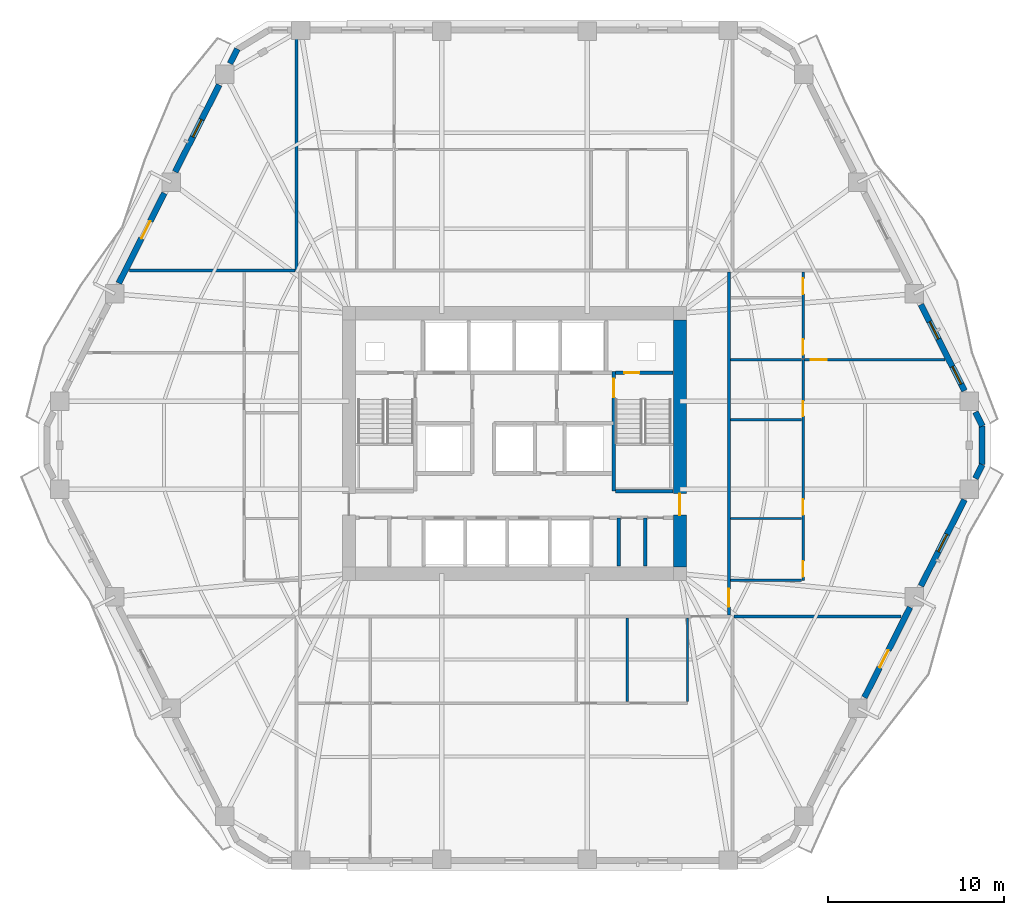
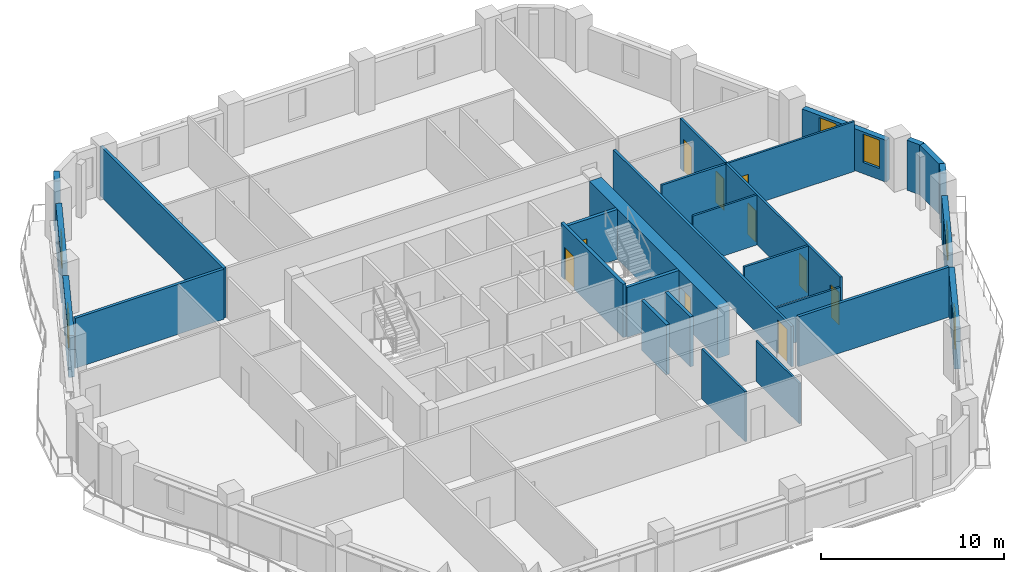
# One storey, part 6 of 13: 28 walls, 12 doors, 4 windows, 16 openings.
"""IFC4 building model written with IfcOpenShell, lengths in metres."""

from ifc_helpers import new_model, si_unit, direction, frame, frame_2d, origin, place, context, subcontext, project, spatial, rectangle, extrude, material, layer, layer_set, type_object, element, fill, save


model = new_model("IFC4")

# Units and contexts
model_context = context("Model", 3, precision=1e-05, world=origin(), true_north=direction((0.0, 1.0)))
body_context = subcontext(model_context, "Body", "Model", "MODEL_VIEW")
ifc_project = project(units=[si_unit("LENGTHUNIT", "METRE"), si_unit("AREAUNIT", "SQUARE_METRE"), si_unit("VOLUMEUNIT", "CUBIC_METRE"), si_unit("PLANEANGLEUNIT", "RADIAN"), si_unit("MASSUNIT", "GRAM", prefix="KILO")], contexts=[model_context])

# Site, building, storey
site_placement = place(None, origin())
site = spatial("IfcSite", under=ifc_project, at=site_placement, CompositionType="ELEMENT")
building_placement = place(site_placement, origin())
building = spatial("IfcBuilding", under=site, at=building_placement, Name="Cinnabar Lancet Tower", CompositionType="ELEMENT")
storey_placement = place(building_placement, frame((0.0, 0.0, 80.0)))
storey = spatial("IfcBuildingStorey", under=building, at=storey_placement, Name="L20", CompositionType="ELEMENT", Elevation=80.0)

# Wall, opening, door
ifc_material_1 = material(Name="Acoustic twin-stud gypsum partition", Category="gypsum")
ifc_layer_1 = layer(ifc_material_1, 0.159912109375)
ifc_layer_set_1 = layer_set([ifc_layer_1], Name="Acoustic twin-stud gypsum partition")
wall_type_1 = type_object("IfcWallType", Name="ARC-WL-CORR-160", PredefinedType="PARTITIONING", material=ifc_layer_set_1)
wall_1_placement = place(storey_placement, frame((44.550048828125, 16.195068359375, 0.0), z_axis=(0.0, 0.0, 1.0), x_axis=(0.0, 1.0, 0.0)))
wall_1 = element("IfcWall", 1, at=wall_1_placement, inside=storey, type_object=wall_type_1, Name="UW-L20-E01-COR", PredefinedType="PARTITIONING", context=body_context, shape_type="SweptSolid", body=[
    extrude(rectangle(XDim=19.409912109375, YDim=0.159912109375, at=frame_2d((9.705078125, 0.0))), origin(), (0.0, 0.0, 1.0), 2.699951171875),
])
opening_1_placement = place(wall_1_placement, frame((0.449951171875, 0.0, 0.0)))
opening_1 = element("IfcOpeningElement", 2, at=opening_1_placement, cuts=wall_1, Name="Opening UD-01", PredefinedType="OPENING", context=body_context, shape_type="SweptSolid", body=[
    extrude(rectangle(XDim=1.02001953125, YDim=2.25, at=frame_2d((0.510009765625, 1.125))), frame((0.0, 0.08984375, 0.0), z_axis=(0.0, -1.0, 0.0), x_axis=(1.0, 0.0, 0.0)), (0.0, 0.0, 1.0), 0.179931640625),
])
ifc_material_2 = material(Name="Solid timber fire-rated apartment entrance door", Category="wood")
door_type_1 = type_object("IfcDoorType", Name="ARC-DR-UNIT", OperationType="NOTDEFINED", PredefinedType="DOOR", material=ifc_material_2)
door_1_placement = place(opening_1_placement, origin())
door_1 = element("IfcDoor", 3, at=door_1_placement, inside=storey, type_object=door_type_1, Name="DR-L20-E01-ENT", OperationType="SINGLE_SWING_LEFT", OverallHeight=2.25, OverallWidth=1.02001953125, PredefinedType="DOOR", context=body_context, shape_type="SweptSolid", body=[
    extrude(rectangle(XDim=1.02001953125, YDim=2.25, at=frame_2d((0.510009765625, 1.125))), frame((0.0, 0.02490234375, 0.0), z_axis=(0.0, -1.0, 0.0), x_axis=(1.0, 0.0, 0.0)), (0.0, 0.0, 1.0), 0.050048828125),
])
fill(opening_1, door_1)

# Walls
ifc_material_3 = material(Name="Fire-rated twin-frame acoustic drywall", Category="gypsum")
ifc_layer_2 = layer(ifc_material_3, 0.179931640625)
ifc_layer_set_2 = layer_set([ifc_layer_2], Name="Fire-rated twin-frame acoustic drywall")
wall_type_2 = type_object("IfcWallType", Name="ARC-WL-PARTY-180", PredefinedType="PARTITIONING", material=ifc_layer_set_2)
wall_2_placement = place(storey_placement, frame((20.050048828125, 35.699951171875, 0.0), z_axis=(0.0, 0.0, 1.0), x_axis=(0.0, 1.0, 0.0)))
element("IfcWall", 4, at=wall_2_placement, inside=storey, type_object=wall_type_2, Name="PW-L20-NPTY-200", PredefinedType="PARTITIONING", context=body_context, shape_type="SweptSolid", body=[
    extrude(rectangle(XDim=13.445068359375, YDim=0.179931640625, at=frame_2d((6.72265625, 0.0))), origin(), (0.0, 0.0, 1.0), 3.330078125),
])
wall_3_placement = place(storey_placement, frame((44.844970703125, 16.10009765625, 0.0), z_axis=(0.0, 0.0, 1.0), x_axis=(1.0, 0.0, 0.0)))
element("IfcWall", 5, at=wall_3_placement, inside=storey, type_object=wall_type_2, Name="PW-L20-ESB", PredefinedType="PARTITIONING", context=body_context, shape_type="SweptSolid", body=[
    extrude(rectangle(XDim=9.467041015625, YDim=0.179931640625, at=frame_2d((4.7333984375, 0.0))), origin(), (0.0, 0.0, 1.0), 3.330078125),
])
wall_4_placement = place(storey_placement, frame((10.589111328125, 35.699951171875, 0.0), z_axis=(0.0, 0.0, 1.0), x_axis=(1.0, 0.0, 0.0)))
element("IfcWall", 6, at=wall_4_placement, inside=storey, type_object=wall_type_2, Name="PW-L20-WNB", PredefinedType="PARTITIONING", context=body_context, shape_type="SweptSolid", body=[
    extrude(rectangle(XDim=9.365966796875, YDim=0.179931640625, at=frame_2d((4.68310546875, 0.0))), origin(), (0.0, 0.0, 1.0), 3.330078125),
])
ifc_material_4 = material(Name="Autoclaved aerated concrete blockwork", Category="masonry")
ifc_layer_3 = layer(ifc_material_4, 0.199951171875)
ifc_layer_set_3 = layer_set([ifc_layer_3], Name="Autoclaved aerated concrete blockwork")
wall_type_3 = type_object("IfcWallType", Name="ARC-WL-SHAFT-200", PredefinedType="PLUMBINGWALL", material=ifc_layer_set_3)
wall_5_placement = place(storey_placement, frame((38.125, 23.199951171875, 0.0), z_axis=(0.0, 0.0, 1.0), x_axis=(1.0, 0.0, 0.0)))
element("IfcWall", 7, at=wall_5_placement, inside=storey, type_object=wall_type_3, Name="CW-ST2S-L20", PredefinedType="PLUMBINGWALL", context=body_context, shape_type="SweptSolid", body=[
    extrude(rectangle(XDim=3.27001953125, YDim=0.199951171875, at=frame_2d((1.635009765625, 0.0))), origin(), (0.0, 0.0, 1.0), 3.330078125),
])

# Wall, opening, door
wall_6_placement = place(storey_placement, frame((38.125, 29.89990234375, 0.0), z_axis=(0.0, 0.0, 1.0), x_axis=(1.0, 0.0, 0.0)))
wall_6 = element("IfcWall", 8, at=wall_6_placement, inside=storey, type_object=wall_type_3, Name="CW-NSH-E-L20", PredefinedType="PLUMBINGWALL", context=body_context, shape_type="SweptSolid", body=[
    extrude(rectangle(XDim=3.27001953125, YDim=0.199951171875, at=frame_2d((1.635009765625, 0.0))), origin(), (0.0, 0.0, 1.0), 3.330078125),
])
opening_2_placement = place(wall_6_placement, frame((0.5, 0.0, 0.0)))
opening_2 = element("IfcOpeningElement", 9, at=opening_2_placement, cuts=wall_6, Name="Opening PD-02", PredefinedType="OPENING", context=body_context, shape_type="SweptSolid", body=[
    extrude(rectangle(XDim=0.85009765625, YDim=2.050048828125, at=frame_2d((0.425048828125, 1.02490234375))), frame((0.0, 0.10986328125, 0.0), z_axis=(0.0, -1.0, 0.0), x_axis=(1.0, 0.0, 0.0)), (0.0, 0.0, 1.0), 0.219970703125),
])
ifc_material_5 = material(Name="Fire-rated steel riser access door", Category="steel")
door_type_2 = type_object("IfcDoorType", Name="ARC-DR-RISER", OperationType="NOTDEFINED", PredefinedType="DOOR", material=ifc_material_5)
door_2_placement = place(opening_2_placement, origin())
door_2 = element("IfcDoor", 10, at=door_2_placement, inside=storey, type_object=door_type_2, Name="L20 East Riser Access Door", OperationType="SINGLE_SWING_RIGHT", OverallHeight=2.050048828125, OverallWidth=0.85009765625, PredefinedType="DOOR", context=body_context, shape_type="SweptSolid", body=[
    extrude(rectangle(XDim=0.85009765625, YDim=2.050048828125, at=frame_2d((0.425048828125, 1.02490234375))), frame((0.0, 0.02490234375, 0.0), z_axis=(0.0, -1.0, 0.0), x_axis=(1.0, 0.0, 0.0)), (0.0, 0.0, 1.0), 0.050048828125),
])
fill(opening_2, door_2)

# Walls
for number, where, z_axis, x_axis, name in (
    (11, (38.300048828125, 18.949951171875, 0.0), (0.0, 0.0, 1.0), (0.0, 1.0, 0.0), "CW-SBC2-383-L20"),
    (12, (39.800048828125, 18.949951171875, 0.0), (0.0, 0.0, 1.0), (0.0, 1.0, 0.0), "CW-SBC2-398-L20"),
):
    element("IfcWall", number, at=place(storey_placement, frame(where, z_axis=z_axis, x_axis=x_axis)), inside=storey, type_object=wall_type_3, Name=name, PredefinedType="PLUMBINGWALL", context=body_context, shape_type="SweptSolid", body=[
        extrude(rectangle(XDim=2.72998046875, YDim=0.199951171875, at=frame_2d((1.364990234375, 0.0))), origin(), (0.0, 0.0, 1.0), 3.330078125),
    ])
ifc_material_6 = material(Name="Gypsum plasterboard stud partition", Category="gypsum")
ifc_layer_4 = layer(ifc_material_6, 0.125)
ifc_layer_set_4 = layer_set([ifc_layer_4], Name="Gypsum plasterboard stud partition")
wall_type_4 = type_object("IfcWallType", Name="ARC-WL-UNIT-125", PredefinedType="PARTITIONING", material=ifc_layer_set_4)
wall_7_placement = place(storey_placement, frame((42.199951171875, 11.29296875, 0.0), z_axis=(0.0, 0.0, 1.0), x_axis=(0.0, 1.0, 0.0)))
element("IfcWall", 13, at=wall_7_placement, inside=storey, type_object=wall_type_4, Name="UW-L20-S01-FOYW", PredefinedType="PARTITIONING", context=body_context, shape_type="SweptSolid", body=[
    extrude(rectangle(XDim=4.721923828125, YDim=0.125, at=frame_2d((2.36083984375, 0.0))), origin(), (0.0, 0.0, 1.0), 2.699951171875),
])
wall_8_placement = place(storey_placement, frame((44.635009765625, 18.14990234375, 0.0), z_axis=(0.0, 0.0, 1.0), x_axis=(1.0, 0.0, 0.0)))
element("IfcWall", 14, at=wall_8_placement, inside=storey, type_object=wall_type_4, Name="UW-L20-E01-FOYN", PredefinedType="PARTITIONING", context=body_context, shape_type="SweptSolid", body=[
    extrude(rectangle(XDim=4.030029296875, YDim=0.125, at=frame_2d((2.01513671875, 0.0))), origin(), (0.0, 0.0, 1.0), 2.699951171875),
])

# Wall, opening, door
wall_9_placement = place(storey_placement, frame((48.824951171875, 30.64599609375, 0.0), z_axis=(0.0, 0.0, 1.0), x_axis=(1.0, 0.0, 0.0)))
wall_9 = element("IfcWall", 15, at=wall_9_placement, inside=storey, type_object=wall_type_4, Name="UW-L20-E01-MBN", PredefinedType="PARTITIONING", context=body_context, shape_type="SweptSolid", body=[
    extrude(rectangle(XDim=7.958984375, YDim=0.125, at=frame_2d((3.9794921875, 0.0))), origin(), (0.0, 0.0, 1.0), 3.330078125),
])
opening_3_placement = place(wall_9_placement, frame((0.35009765625, 0.0, 0.0)))
opening_3 = element("IfcOpeningElement", 16, at=opening_3_placement, cuts=wall_9, Name="Opening RD-01", PredefinedType="OPENING", context=body_context, shape_type="SweptSolid", body=[
    extrude(rectangle(XDim=0.919921875, YDim=2.14990234375, at=frame_2d((0.4599609375, 1.074951171875))), frame((0.0, 0.072509765625, 0.0), z_axis=(0.0, -1.0, 0.0), x_axis=(1.0, 0.0, 0.0)), (0.0, 0.0, 1.0), 0.14501953125),
])
ifc_material_7 = material(Name="Engineered timber bedroom door", Category="wood")
door_type_3 = type_object("IfcDoorType", Name="ARC-DR-ROOM", OperationType="NOTDEFINED", PredefinedType="DOOR", material=ifc_material_7)
door_3_placement = place(opening_3_placement, origin())
door_3 = element("IfcDoor", 17, at=door_3_placement, inside=storey, type_object=door_type_3, Name="DR-L20-E01-MBD", OperationType="SINGLE_SWING_LEFT", OverallHeight=2.14990234375, OverallWidth=0.919921875, PredefinedType="DOOR", context=body_context, shape_type="SweptSolid", body=[
    extrude(rectangle(XDim=0.919921875, YDim=2.14990234375, at=frame_2d((0.4599609375, 1.074951171875))), frame((0.0, 0.02490234375, 0.0), z_axis=(0.0, -1.0, 0.0), x_axis=(1.0, 0.0, 0.0)), (0.0, 0.0, 1.0), 0.050048828125),
])
fill(opening_3, door_3)

# Walls
wall_10_placement = place(storey_placement, frame((44.635009765625, 27.24609375, 0.0), z_axis=(0.0, 0.0, 1.0), x_axis=(1.0, 0.0, 0.0)))
element("IfcWall", 18, at=wall_10_placement, inside=storey, type_object=wall_type_4, Name="UW-L20-E01-UDV", PredefinedType="PARTITIONING", context=body_context, shape_type="SweptSolid", body=[
    extrude(rectangle(XDim=4.030029296875, YDim=0.125, at=frame_2d((2.01513671875, 0.0))), origin(), (0.0, 0.0, 1.0), 3.330078125),
])
ifc_material_8 = material(Name="Moisture-resistant cement-board plumbing wall", Category="masonry")
ifc_layer_5 = layer(ifc_material_8, 0.139892578125)
ifc_layer_set_5 = layer_set([ifc_layer_5], Name="Moisture-resistant cement-board plumbing wall")
wall_type_5 = type_object("IfcWallType", Name="ARC-WL-WET-140", PredefinedType="PLUMBINGWALL", material=ifc_layer_set_5)
wall_11_placement = place(storey_placement, frame((38.800048828125, 11.29296875, 0.0), z_axis=(0.0, 0.0, 1.0), x_axis=(0.0, 1.0, 0.0)))
element("IfcWall", 19, at=wall_11_placement, inside=storey, type_object=wall_type_5, Name="UW-L20-S01-KBD", PredefinedType="PLUMBINGWALL", context=body_context, shape_type="SweptSolid", body=[
    extrude(rectangle(XDim=4.721923828125, YDim=0.139892578125, at=frame_2d((2.36083984375, 0.0))), origin(), (0.0, 0.0, 1.0), 3.330078125),
])

# Wall, openings, doors
wall_12_placement = place(storey_placement, frame((48.75, 18.14990234375, 0.0), z_axis=(0.0, 0.0, 1.0), x_axis=(0.0, 1.0, 0.0)))
wall_12 = element("IfcWall", 20, at=wall_12_placement, inside=storey, type_object=wall_type_5, Name="UW-L20-E01-SPL", PredefinedType="PLUMBINGWALL", context=body_context, shape_type="SweptSolid", body=[
    extrude(rectangle(XDim=12.49609375, YDim=0.139892578125, at=frame_2d((6.248046875, 0.0))), origin(), (0.0, 0.0, 1.0), 3.330078125),
])
opening_4_placement = place(wall_12_placement, frame((0.199951171875, 0.0, 0.0)))
opening_4 = element("IfcOpeningElement", 21, at=opening_4_placement, cuts=wall_12, Name="Opening RD-02", PredefinedType="OPENING", context=body_context, shape_type="SweptSolid", body=[
    extrude(rectangle(XDim=0.8798828125, YDim=2.14990234375, at=frame_2d((0.43994140625, 1.074951171875))), frame((0.0, 0.079833984375, 0.0), z_axis=(0.0, -1.0, 0.0), x_axis=(1.0, 0.0, 0.0)), (0.0, 0.0, 1.0), 0.159912109375),
])
opening_5_placement = place(wall_12_placement, frame((3.699951171875, 0.0, 0.0)))
opening_5 = element("IfcOpeningElement", 22, at=opening_5_placement, cuts=wall_12, Name="Opening RD-02", PredefinedType="OPENING", context=body_context, shape_type="SweptSolid", body=[
    extrude(rectangle(XDim=0.8798828125, YDim=2.14990234375, at=frame_2d((0.43994140625, 1.074951171875))), frame((0.0, 0.079833984375, 0.0), z_axis=(0.0, -1.0, 0.0), x_axis=(1.0, 0.0, 0.0)), (0.0, 0.0, 1.0), 0.159912109375),
])
opening_6_placement = place(wall_12_placement, frame((9.2958984375, 0.0, 0.0)))
opening_6 = element("IfcOpeningElement", 23, at=opening_6_placement, cuts=wall_12, Name="Opening BD-01", PredefinedType="OPENING", context=body_context, shape_type="SweptSolid", body=[
    extrude(rectangle(XDim=0.860107421875, YDim=2.10009765625, at=frame_2d((0.43017578125, 1.050048828125))), frame((0.0, 0.079833984375, 0.0), z_axis=(0.0, -1.0, 0.0), x_axis=(1.0, 0.0, 0.0)), (0.0, 0.0, 1.0), 0.159912109375),
])
ifc_material_9 = material(Name="Moisture-resistant timber bathroom door", Category="wood")
door_type_4 = type_object("IfcDoorType", Name="ARC-DR-BATH", OperationType="NOTDEFINED", PredefinedType="DOOR", material=ifc_material_9)
door_4_placement = place(opening_6_placement, origin())
door_4 = element("IfcDoor", 24, at=door_4_placement, inside=storey, type_object=door_type_4, Name="DR-L20-E01-BTH", OperationType="SINGLE_SWING_RIGHT", OverallHeight=2.10009765625, OverallWidth=0.860107421875, PredefinedType="DOOR", context=body_context, shape_type="SweptSolid", body=[
    extrude(rectangle(XDim=0.860107421875, YDim=2.10009765625, at=frame_2d((0.43017578125, 1.050048828125))), frame((0.0, 0.02490234375, 0.0), z_axis=(0.0, -1.0, 0.0), x_axis=(1.0, 0.0, 0.0)), (0.0, 0.0, 1.0), 0.050048828125),
])
fill(opening_6, door_4)
ifc_material_10 = material(Name="Engineered timber study door", Category="wood")
door_type_5 = type_object("IfcDoorType", Name="ARC-DR-STUDY", OperationType="NOTDEFINED", PredefinedType="DOOR", material=ifc_material_10)
door_5_placement = place(opening_4_placement, origin())
door_5 = element("IfcDoor", 25, at=door_5_placement, inside=storey, type_object=door_type_5, Name="DR-L20-E01-KIT", OperationType="SINGLE_SWING_RIGHT", OverallHeight=2.14990234375, OverallWidth=0.8798828125, PredefinedType="DOOR", context=body_context, shape_type="SweptSolid", body=[
    extrude(rectangle(XDim=0.8798828125, YDim=2.14990234375, at=frame_2d((0.43994140625, 1.074951171875))), frame((0.0, 0.02490234375, 0.0), z_axis=(0.0, -1.0, 0.0), x_axis=(1.0, 0.0, 0.0)), (0.0, 0.0, 1.0), 0.050048828125),
])
fill(opening_4, door_5)
door_6_placement = place(opening_5_placement, origin())
door_6 = element("IfcDoor", 26, at=door_6_placement, inside=storey, type_object=door_type_5, Name="DR-L20-E01-UTL", OperationType="SINGLE_SWING_LEFT", OverallHeight=2.14990234375, OverallWidth=0.8798828125, PredefinedType="DOOR", context=body_context, shape_type="SweptSolid", body=[
    extrude(rectangle(XDim=0.8798828125, YDim=2.14990234375, at=frame_2d((0.43994140625, 1.074951171875))), frame((0.0, 0.02490234375, 0.0), z_axis=(0.0, -1.0, 0.0), x_axis=(1.0, 0.0, 0.0)), (0.0, 0.0, 1.0), 0.050048828125),
])
fill(opening_5, door_6)

wall_13_placement = place(storey_placement, frame((48.75, 30.716064453125, 0.0), z_axis=(0.0, 0.0, 1.0), x_axis=(0.0, 1.0, 0.0)))
wall_13 = element("IfcWall", 27, at=wall_13_placement, inside=storey, type_object=wall_type_5, Name="UW-L20-E01-SPM", PredefinedType="PLUMBINGWALL", context=body_context, shape_type="SweptSolid", body=[
    extrude(rectangle(XDim=4.888916015625, YDim=0.139892578125, at=frame_2d((2.4443359375, 0.0))), origin(), (0.0, 0.0, 1.0), 3.330078125),
])
opening_7_placement = place(wall_13_placement, frame((0.219970703125, 0.0, 0.0)))
opening_7 = element("IfcOpeningElement", 28, at=opening_7_placement, cuts=wall_13, Name="Opening BD-01", PredefinedType="OPENING", context=body_context, shape_type="SweptSolid", body=[
    extrude(rectangle(XDim=0.860107421875, YDim=2.10009765625, at=frame_2d((0.43017578125, 1.050048828125))), frame((0.0, 0.079833984375, 0.0), z_axis=(0.0, -1.0, 0.0), x_axis=(1.0, 0.0, 0.0)), (0.0, 0.0, 1.0), 0.159912109375),
])
opening_8_placement = place(wall_13_placement, frame((3.653076171875, 0.0, 0.0)))
opening_8 = element("IfcOpeningElement", 29, at=opening_8_placement, cuts=wall_13, Name="Opening RD-02", PredefinedType="OPENING", context=body_context, shape_type="SweptSolid", body=[
    extrude(rectangle(XDim=0.8798828125, YDim=2.14990234375, at=frame_2d((0.43994140625, 1.074951171875))), frame((0.0, 0.079833984375, 0.0), z_axis=(0.0, -1.0, 0.0), x_axis=(1.0, 0.0, 0.0)), (0.0, 0.0, 1.0), 0.159912109375),
])
door_7_placement = place(opening_7_placement, origin())
door_7 = element("IfcDoor", 30, at=door_7_placement, inside=storey, type_object=door_type_4, Name="DR-L20-E01-ENS", OperationType="SINGLE_SWING_LEFT", OverallHeight=2.10009765625, OverallWidth=0.860107421875, PredefinedType="DOOR", context=body_context, shape_type="SweptSolid", body=[
    extrude(rectangle(XDim=0.860107421875, YDim=2.10009765625, at=frame_2d((0.43017578125, 1.050048828125))), frame((0.0, 0.02490234375, 0.0), z_axis=(0.0, -1.0, 0.0), x_axis=(1.0, 0.0, 0.0)), (0.0, 0.0, 1.0), 0.050048828125),
])
fill(opening_7, door_7)
door_8_placement = place(opening_8_placement, origin())
door_8 = element("IfcDoor", 31, at=door_8_placement, inside=storey, type_object=door_type_5, Name="DR-L20-E01-EWDR", OperationType="SINGLE_SWING_RIGHT", OverallHeight=2.14990234375, OverallWidth=0.8798828125, PredefinedType="DOOR", context=body_context, shape_type="SweptSolid", body=[
    extrude(rectangle(XDim=0.8798828125, YDim=2.14990234375, at=frame_2d((0.43994140625, 1.074951171875))), frame((0.0, 0.02490234375, 0.0), z_axis=(0.0, -1.0, 0.0), x_axis=(1.0, 0.0, 0.0)), (0.0, 0.0, 1.0), 0.050048828125),
])
fill(opening_8, door_8)

# Walls
for number, where, z_axis, x_axis, name in (
    (32, (44.635009765625, 30.64599609375, 0.0), (0.0, 0.0, 1.0), (1.0, 0.0, 0.0), "UW-L20-E01-ENSN"),
    (33, (44.635009765625, 21.64990234375, 0.0), (0.0, 0.0, 1.0), (1.0, 0.0, 0.0), "UW-L20-E01-KDV"),
):
    element("IfcWall", number, at=place(storey_placement, frame(where, z_axis=z_axis, x_axis=x_axis)), inside=storey, type_object=wall_type_5, Name=name, PredefinedType="PLUMBINGWALL", context=body_context, shape_type="SweptSolid", body=[
        extrude(rectangle(XDim=4.030029296875, YDim=0.139892578125, at=frame_2d((2.01513671875, 0.0))), origin(), (0.0, 0.0, 1.0), 3.330078125),
    ])
ifc_material_11 = material(Name="Cinnabar red clay brick", Category="masonry")
ifc_layer_6 = layer(ifc_material_11, 0.340087890625)
ifc_layer_set_6 = layer_set([ifc_layer_6], Name="Cinnabar red clay brick")
wall_type_6 = type_object("IfcWallType", Name="ENV-WL-BRK-RED-340", PredefinedType="STANDARD", material=ifc_layer_set_6)
wall_14_placement = place(storey_placement, frame((58.887939453125, 24.714111328125, 0.0), z_axis=(0.0, 0.0, 1.0), x_axis=(0.0, 1.0, 0.0)))
element("IfcWall", 34, at=wall_14_placement, inside=storey, type_object=wall_type_6, Name="L20 Chamfered Corner Brick Pier 3.1", PredefinedType="STANDARD", context=body_context, shape_type="SweptSolid", body=[
    extrude(rectangle(XDim=2.171875, YDim=0.340087890625, at=frame_2d((1.0859375, 0.0))), origin(), (0.0, 0.0, 1.0), 3.330078125),
])

# Wall, opening, door
wall_15_placement = place(storey_placement, frame((52.23291015625, 11.514892578125, 0.0), z_axis=(0.0, 0.0, 1.0), x_axis=(0.451616680182, 0.892212067942, 0.0)))
wall_15 = element("IfcWall", 35, at=wall_15_placement, inside=storey, type_object=wall_type_6, Name="L20 Face 2 Masonry Bay Wall 3", PredefinedType="STANDARD", context=body_context, shape_type="SweptSolid", body=[
    extrude(rectangle(XDim=5.715087890625, YDim=0.340087890625, at=frame_2d((2.857421875, 0.0))), origin(), (0.0, 0.0, 1.0), 2.787109375),
])
opening_9_placement = place(wall_15_placement, frame((1.89404296875, 0.0, 0.0)))
opening_9 = element("IfcOpeningElement", 36, at=opening_9_placement, cuts=wall_15, Name="Opening TD-01", PredefinedType="OPENING", context=body_context, shape_type="SweptSolid", body=[
    extrude(rectangle(XDim=1.10009765625, YDim=2.25, at=frame_2d((0.550048828125, 1.125))), frame((0.0, 0.179931640625, 0.0), z_axis=(0.0, -1.0, 0.0), x_axis=(1.0, 0.0, 0.0)), (0.0, 0.0, 1.0), 0.360107421875),
])
ifc_material_12 = material(Name="Thermally broken low-E glazed balcony terrace door", Category="wood")
door_type_6 = type_object("IfcDoorType", Name="ARC-DR-BALC", OperationType="NOTDEFINED", PredefinedType="DOOR", material=ifc_material_12)
door_9_placement = place(opening_9_placement, origin())
door_9 = element("IfcDoor", 37, at=door_9_placement, inside=storey, type_object=door_type_6, Name="L20 Face 2 Glazed Terrace Door", OperationType="SINGLE_SWING_RIGHT", OverallHeight=2.25, OverallWidth=1.10009765625, PredefinedType="DOOR", context=body_context, shape_type="SweptSolid", body=[
    extrude(rectangle(XDim=1.10009765625, YDim=2.25, at=frame_2d((0.550048828125, 1.125))), frame((0.0, 0.02490234375, 0.0), z_axis=(0.0, -1.0, 0.0), x_axis=(1.0, 0.0, 0.0)), (0.0, 0.0, 1.0), 0.050048828125),
])
fill(opening_9, door_9)

# Wall, opening, window
wall_16_placement = place(storey_placement, frame((55.426025390625, 17.823974609375, 0.0), z_axis=(0.0, 0.0, 1.0), x_axis=(0.451579095309, 0.892231091523, 0.0)))
wall_16 = element("IfcWall", 38, at=wall_16_placement, inside=storey, type_object=wall_type_6, Name="L20 Face 2 Masonry Bay Wall 4", PredefinedType="STANDARD", context=body_context, shape_type="SweptSolid", body=[
    extrude(rectangle(XDim=5.473876953125, YDim=0.340087890625, at=frame_2d((2.73681640625, 0.0))), origin(), (0.0, 0.0, 1.0), 2.787109375),
])
opening_10_placement = place(wall_16_placement, frame((2.18701171875, 0.0, 0.75)))
opening_10 = element("IfcOpeningElement", 39, at=opening_10_placement, cuts=wall_16, Name="Opening WN-04", PredefinedType="OPENING", context=body_context, shape_type="SweptSolid", body=[
    extrude(rectangle(XDim=1.10009765625, YDim=1.886962890625, at=frame_2d((0.550048828125, 0.943359375))), frame((0.0, 0.179931640625, 0.0), z_axis=(0.0, -1.0, 0.0), x_axis=(1.0, 0.0, 0.0)), (0.0, 0.0, 1.0), 0.360107421875),
])
ifc_material_13 = material(Name="Thermally broken bronze-anodized aluminium tall lancet window", Category="aluminium")
window_type = type_object("IfcWindowType", Name="ENV-WN-LANCET-1100", PartitioningType="SINGLE_PANEL", PredefinedType="WINDOW", material=ifc_material_13)
window_1_placement = place(opening_10_placement, origin())
window_1 = element("IfcWindow", 40, at=window_1_placement, inside=storey, type_object=window_type, Name="L20 Face 2 Gothic Lancet Window 4", OverallHeight=1.886962890625, OverallWidth=1.10009765625, PartitioningType="SINGLE_PANEL", PredefinedType="WINDOW", context=body_context, shape_type="SweptSolid", body=[
    extrude(rectangle(XDim=1.10009765625, YDim=1.886962890625, at=frame_2d((0.550048828125, 0.943359375))), frame((0.0, 0.030029296875, 0.0), z_axis=(0.0, -1.0, 0.0), x_axis=(1.0, 0.0, 0.0)), (0.0, 0.0, 1.0), 0.06005859375),
])
fill(opening_10, window_1)

# Walls
wall_17_placement = place(storey_placement, frame((58.510986328125, 23.919921875, 0.0), z_axis=(0.0, 0.0, 1.0), x_axis=(0.451195173259, 0.892425299747, 0.0)))
element("IfcWall", 41, at=wall_17_placement, inside=storey, type_object=wall_type_6, Name="L20 Face 2 Masonry Bay Wall 5", PredefinedType="STANDARD", context=body_context, shape_type="SweptSolid", body=[
    extrude(rectangle(XDim=0.882080078125, YDim=0.340087890625, at=frame_2d((0.44091796875, 0.0))), origin(), (0.0, 0.0, 1.0), 3.330078125),
])
wall_18_placement = place(storey_placement, frame((58.908935546875, 26.89306640625, 0.0), z_axis=(0.0, 0.0, 1.0), x_axis=(-0.451306655769, 0.892368927327, 0.0)))
element("IfcWall", 42, at=wall_18_placement, inside=storey, type_object=wall_type_6, Name="L20 Face 3 Masonry Bay Wall 1", PredefinedType="STANDARD", context=body_context, shape_type="SweptSolid", body=[
    extrude(rectangle(XDim=0.8818359375, YDim=0.340087890625, at=frame_2d((0.44091796875, 0.0))), origin(), (0.0, 0.0, 1.0), 3.330078125),
])

# Wall, openings, windows
wall_19_placement = place(storey_placement, frame((57.89794921875, 28.89208984375, 0.0), z_axis=(0.0, 0.0, 1.0), x_axis=(-0.451597066012, 0.892221995901, 0.0)))
wall_19 = element("IfcWall", 43, at=wall_19_placement, inside=storey, type_object=wall_type_6, Name="L20 Face 3 Masonry Bay Wall 2", PredefinedType="STANDARD", context=body_context, shape_type="SweptSolid", body=[
    extrude(rectangle(XDim=5.4736328125, YDim=0.340087890625, at=frame_2d((2.73681640625, 0.0))), origin(), (0.0, 0.0, 1.0), 2.787109375),
])
opening_11_placement = place(wall_19_placement, frame((0.424072265625, 0.0, 0.75)))
opening_11 = element("IfcOpeningElement", 44, at=opening_11_placement, cuts=wall_19, Name="Opening WN-04", PredefinedType="OPENING", context=body_context, shape_type="SweptSolid", body=[
    extrude(rectangle(XDim=1.10009765625, YDim=1.886962890625, at=frame_2d((0.550048828125, 0.943359375))), frame((0.0, 0.179931640625, 0.0), z_axis=(0.0, -1.0, 0.0), x_axis=(1.0, 0.0, 0.0)), (0.0, 0.0, 1.0), 0.360107421875),
])
opening_12_placement = place(wall_19_placement, frame((3.281005859375, 0.0, 0.75)))
opening_12 = element("IfcOpeningElement", 45, at=opening_12_placement, cuts=wall_19, Name="Opening WN-04", PredefinedType="OPENING", context=body_context, shape_type="SweptSolid", body=[
    extrude(rectangle(XDim=1.10009765625, YDim=1.886962890625, at=frame_2d((0.550048828125, 0.943359375))), frame((0.0, 0.179931640625, 0.0), z_axis=(0.0, -1.0, 0.0), x_axis=(1.0, 0.0, 0.0)), (0.0, 0.0, 1.0), 0.360107421875),
])
window_2_placement = place(opening_11_placement, origin())
window_2 = element("IfcWindow", 46, at=window_2_placement, inside=storey, type_object=window_type, Name="L20 Face 3 Gothic Lancet Window 2", OverallHeight=1.886962890625, OverallWidth=1.10009765625, PartitioningType="SINGLE_PANEL", PredefinedType="WINDOW", context=body_context, shape_type="SweptSolid", body=[
    extrude(rectangle(XDim=1.10009765625, YDim=1.886962890625, at=frame_2d((0.550048828125, 0.943359375))), frame((0.0, 0.030029296875, 0.0), z_axis=(0.0, -1.0, 0.0), x_axis=(1.0, 0.0, 0.0)), (0.0, 0.0, 1.0), 0.06005859375),
])
fill(opening_11, window_2)
window_3_placement = place(opening_12_placement, origin())
window_3 = element("IfcWindow", 47, at=window_3_placement, inside=storey, type_object=window_type, Name="L20 Split-Bay Gothic Lancet Window 53", OverallHeight=1.886962890625, OverallWidth=1.10009765625, PartitioningType="SINGLE_PANEL", PredefinedType="WINDOW", context=body_context, shape_type="SweptSolid", body=[
    extrude(rectangle(XDim=1.10009765625, YDim=1.886962890625, at=frame_2d((0.550048828125, 0.943359375))), frame((0.0, 0.030029296875, 0.0), z_axis=(0.0, -1.0, 0.0), x_axis=(1.0, 0.0, 0.0)), (0.0, 0.0, 1.0), 0.06005859375),
])
fill(opening_12, window_3)

# Wall
wall_20_placement = place(storey_placement, frame((16.699951171875, 48.25390625, 0.0), z_axis=(0.0, 0.0, 1.0), x_axis=(-0.452088642812, -0.891973014749, 0.0)))
element("IfcWall", 48, at=wall_20_placement, inside=storey, type_object=wall_type_6, Name="L20 Face 5 Masonry Bay Wall 1", PredefinedType="STANDARD", context=body_context, shape_type="SweptSolid", body=[
    extrude(rectangle(XDim=0.920166015625, YDim=0.340087890625, at=frame_2d((0.4599609375, 0.0))), origin(), (0.0, 0.0, 1.0), 3.330078125),
])

# Wall, opening, window
wall_21_placement = place(storey_placement, frame((15.672119140625, 46.220947265625, 0.0), z_axis=(0.0, 0.0, 1.0), x_axis=(-0.451737622594, -0.892150839451, 0.0)))
wall_21 = element("IfcWall", 49, at=wall_21_placement, inside=storey, type_object=wall_type_6, Name="L20 Face 5 Masonry Bay Wall 2", PredefinedType="STANDARD", context=body_context, shape_type="SweptSolid", body=[
    extrude(rectangle(XDim=5.51904296875, YDim=0.340087890625, at=frame_2d((2.759521484375, 0.0))), origin(), (0.0, 0.0, 1.0), 2.787109375),
])
opening_13_placement = place(wall_21_placement, frame((2.2099609375, 0.0, 0.75)))
opening_13 = element("IfcOpeningElement", 50, at=opening_13_placement, cuts=wall_21, Name="Opening WN-04", PredefinedType="OPENING", context=body_context, shape_type="SweptSolid", body=[
    extrude(rectangle(XDim=1.10009765625, YDim=1.886962890625, at=frame_2d((0.550048828125, 0.943359375))), frame((0.0, 0.179931640625, 0.0), z_axis=(0.0, -1.0, 0.0), x_axis=(1.0, 0.0, 0.0)), (0.0, 0.0, 1.0), 0.360107421875),
])
window_4_placement = place(opening_13_placement, origin())
window_4 = element("IfcWindow", 51, at=window_4_placement, inside=storey, type_object=window_type, Name="L20 Face 5 Gothic Lancet Window 2", OverallHeight=1.886962890625, OverallWidth=1.10009765625, PartitioningType="SINGLE_PANEL", PredefinedType="WINDOW", context=body_context, shape_type="SweptSolid", body=[
    extrude(rectangle(XDim=1.10009765625, YDim=1.886962890625, at=frame_2d((0.550048828125, 0.943359375))), frame((0.0, 0.030029296875, 0.0), z_axis=(0.0, -1.0, 0.0), x_axis=(1.0, 0.0, 0.0)), (0.0, 0.0, 1.0), 0.06005859375),
])
fill(opening_13, window_4)

# Wall, opening, door
wall_22_placement = place(storey_placement, frame((12.56689453125, 40.0849609375, 0.0), z_axis=(0.0, 0.0, 1.0), x_axis=(-0.451599886425, -0.892220568347, 0.0)))
wall_22 = element("IfcWall", 52, at=wall_22_placement, inside=storey, type_object=wall_type_6, Name="L20 Face 5 Masonry Bay Wall 3", PredefinedType="STANDARD", context=body_context, shape_type="SweptSolid", body=[
    extrude(rectangle(XDim=5.71484375, YDim=0.340087890625, at=frame_2d((2.857421875, 0.0))), origin(), (0.0, 0.0, 1.0), 2.787109375),
])
opening_14_placement = place(wall_22_placement, frame((1.781982421875, 0.0, 0.0)))
opening_14 = element("IfcOpeningElement", 53, at=opening_14_placement, cuts=wall_22, Name="Opening TD-01", PredefinedType="OPENING", context=body_context, shape_type="SweptSolid", body=[
    extrude(rectangle(XDim=1.10009765625, YDim=2.25, at=frame_2d((0.550048828125, 1.125))), frame((0.0, 0.179931640625, 0.0), z_axis=(0.0, -1.0, 0.0), x_axis=(1.0, 0.0, 0.0)), (0.0, 0.0, 1.0), 0.360107421875),
])
door_10_placement = place(opening_14_placement, origin())
door_10 = element("IfcDoor", 54, at=door_10_placement, inside=storey, type_object=door_type_6, Name="L20 Face 5 Glazed Terrace Door", OperationType="SINGLE_SWING_LEFT", OverallHeight=2.25, OverallWidth=1.10009765625, PredefinedType="DOOR", context=body_context, shape_type="SweptSolid", body=[
    extrude(rectangle(XDim=1.10009765625, YDim=2.25, at=frame_2d((0.550048828125, 1.125))), frame((0.0, 0.02490234375, 0.0), z_axis=(0.0, -1.0, 0.0), x_axis=(1.0, 0.0, 0.0)), (0.0, 0.0, 1.0), 0.050048828125),
])
fill(opening_14, door_10)

ifc_material_14 = material(Name="Concrete C70/85", Category="concrete")
ifc_layer_7 = layer(ifc_material_14, 0.75)
ifc_layer_set_7 = layer_set([ifc_layer_7], Name="Concrete C70/85")
wall_type_7 = type_object("IfcWallType", Name="STR-WL-CORE-750", PredefinedType="SHEAR", material=ifc_layer_set_7)
wall_23_placement = place(storey_placement, frame((41.77490234375, 18.89990234375, 0.0), z_axis=(0.0, 0.0, 1.0), x_axis=(0.0, 1.0, 0.0)))
wall_23 = element("IfcWall", 55, at=wall_23_placement, inside=storey, type_object=wall_type_7, Name="L20 Core Shear Wall E", PredefinedType="SHEAR", context=body_context, shape_type="SweptSolid", body=[
    extrude(rectangle(XDim=14.0, YDim=0.75, at=frame_2d((7.0, 0.0))), origin(), (0.0, 0.0, 1.0), 3.330078125),
])
opening_15_placement = place(wall_23_placement, frame((2.93994140625, 0.0, 0.0)))
opening_15 = element("IfcOpeningElement", 56, at=opening_15_placement, cuts=wall_23, Name="Opening FD-02", PredefinedType="OPENING", context=body_context, shape_type="SweptSolid", body=[
    extrude(rectangle(XDim=1.219970703125, YDim=2.25, at=frame_2d((0.60986328125, 1.125))), frame((0.0, 0.385009765625, 0.0), z_axis=(0.0, -1.0, 0.0), x_axis=(1.0, 0.0, 0.0)), (0.0, 0.0, 1.0), 0.77001953125),
])
ifc_material_15 = material(Name="Fire-rated double-vision core portal door", Category="wood")
door_type_7 = type_object("IfcDoorType", Name="ARC-DR-CPORT", OperationType="NOTDEFINED", PredefinedType="DOOR", material=ifc_material_15)
door_11_placement = place(opening_15_placement, origin())
door_11 = element("IfcDoor", 57, at=door_11_placement, inside=storey, type_object=door_type_7, Name="L20 East Core Lobby Fire Door", OperationType="SINGLE_SWING_LEFT", OverallHeight=2.25, OverallWidth=1.219970703125, PredefinedType="DOOR", context=body_context, shape_type="SweptSolid", body=[
    extrude(rectangle(XDim=1.219970703125, YDim=2.25, at=frame_2d((0.60986328125, 1.125))), frame((0.0, 0.02490234375, 0.0), z_axis=(0.0, -1.0, 0.0), x_axis=(1.0, 0.0, 0.0)), (0.0, 0.0, 1.0), 0.050048828125),
])
fill(opening_15, door_11)

ifc_material_16 = material(Name="Concrete C50/60", Category="concrete")
ifc_layer_8 = layer(ifc_material_16, 0.199951171875)
ifc_layer_set_8 = layer_set([ifc_layer_8], Name="Concrete C50/60")
wall_type_8 = type_object("IfcWallType", Name="STR-WL-STAIR-200", PredefinedType="SHEAR", material=ifc_layer_set_8)
wall_24_placement = place(storey_placement, frame((38.02001953125, 23.199951171875, 0.0), z_axis=(0.0, 0.0, 1.0), x_axis=(0.0, 1.0, 0.0)))
wall_24 = element("IfcWall", 58, at=wall_24_placement, inside=storey, type_object=wall_type_8, Name="L20 Stair ST-2 Structural Enclosure Wall", PredefinedType="SHEAR", context=body_context, shape_type="SweptSolid", body=[
    extrude(rectangle(XDim=6.780029296875, YDim=0.199951171875, at=frame_2d((3.39013671875, 0.0))), origin(), (0.0, 0.0, 1.0), 3.550048828125),
])
opening_16_placement = place(wall_24_placement, frame((5.320068359375, 0.0, 0.0)))
opening_16 = element("IfcOpeningElement", 59, at=opening_16_placement, cuts=wall_24, Name="Opening SD-01", PredefinedType="OPENING", context=body_context, shape_type="SweptSolid", body=[
    extrude(rectangle(XDim=1.050048828125, YDim=2.14990234375, at=frame_2d((0.52490234375, 1.074951171875))), frame((0.0, 0.10986328125, 0.0), z_axis=(0.0, -1.0, 0.0), x_axis=(1.0, 0.0, 0.0)), (0.0, 0.0, 1.0), 0.219970703125),
])
ifc_material_17 = material(Name="Fire-rated steel stair exit door", Category="steel")
door_type_8 = type_object("IfcDoorType", Name="ARC-DR-STAIR", OperationType="NOTDEFINED", PredefinedType="DOOR", material=ifc_material_17)
door_12_placement = place(opening_16_placement, origin())
door_12 = element("IfcDoor", 60, at=door_12_placement, inside=storey, type_object=door_type_8, Name="L20 Stair ST-2 Fire Door", OperationType="SINGLE_SWING_RIGHT", OverallHeight=2.14990234375, OverallWidth=1.050048828125, PredefinedType="DOOR", context=body_context, shape_type="SweptSolid", body=[
    extrude(rectangle(XDim=1.050048828125, YDim=2.14990234375, at=frame_2d((0.52490234375, 1.074951171875))), frame((0.0, 0.02490234375, 0.0), z_axis=(0.0, -1.0, 0.0), x_axis=(1.0, 0.0, 0.0)), (0.0, 0.0, 1.0), 0.050048828125),
])
fill(opening_16, door_12)

save(model, "model.ifc")
